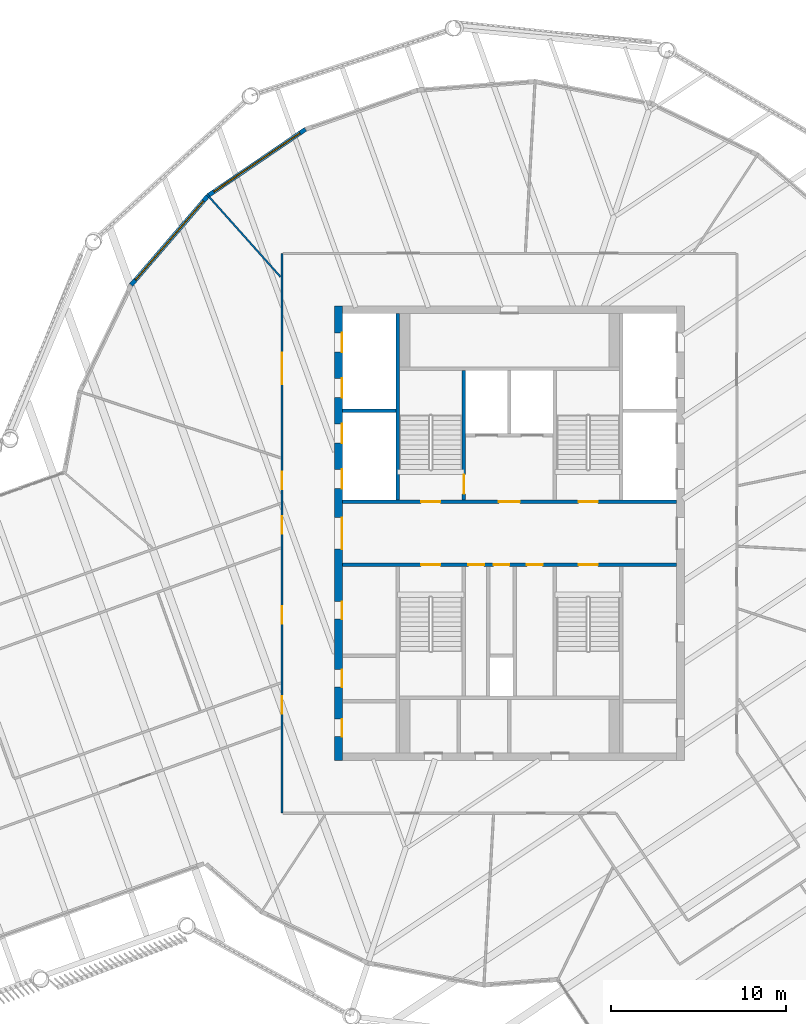
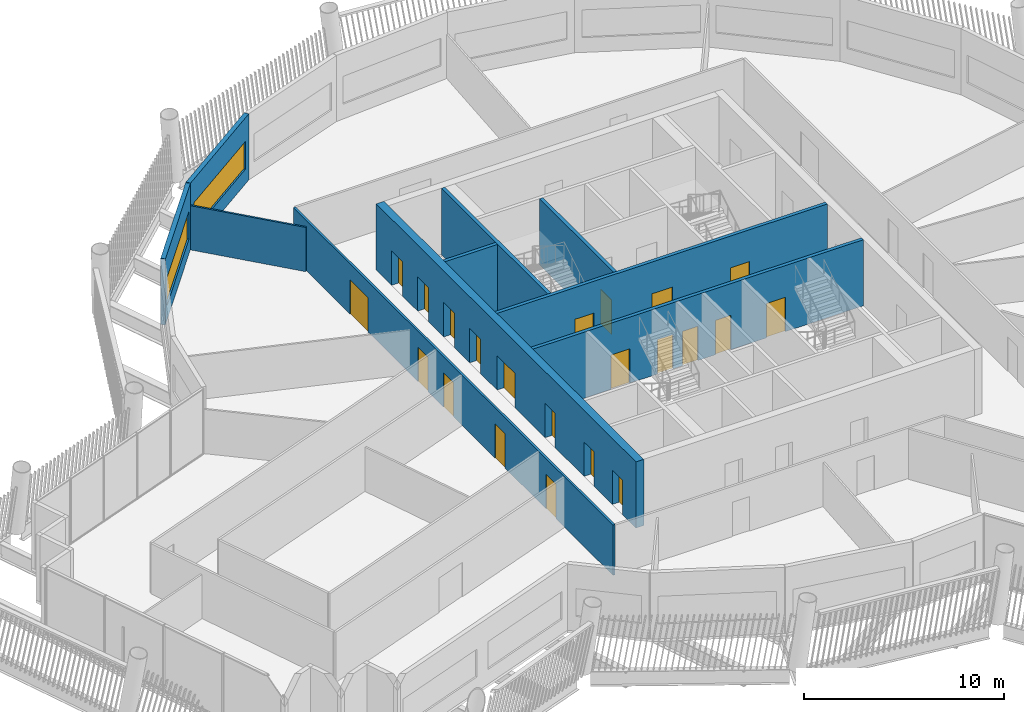
# One storey, part 18 of 28: 22 doors, 10 walls, 2 windows, 24 openings.
"""IFC4 building model written with IfcOpenShell, lengths in metres."""

from ifc_helpers import new_model, si_unit, direction, frame, frame_2d, origin, place, context, subcontext, project, spatial, rectangle, extrude, material, layer, layer_set, type_object, element, fill, save


model = new_model("IFC4")

# Units and contexts
model_context = context("Model", 3, precision=1e-05, world=origin(), true_north=direction((0.0, 1.0)))
body_context = subcontext(model_context, "Body", "Model", "MODEL_VIEW")
ifc_project = project(units=[si_unit("LENGTHUNIT", "METRE"), si_unit("AREAUNIT", "SQUARE_METRE"), si_unit("VOLUMEUNIT", "CUBIC_METRE"), si_unit("PLANEANGLEUNIT", "RADIAN"), si_unit("MASSUNIT", "GRAM", prefix="KILO")], contexts=[model_context])

# Site, building, storey
site_placement = place(None, origin())
site = spatial("IfcSite", under=ifc_project, at=site_placement, CompositionType="ELEMENT")
building_placement = place(site_placement, origin())
building = spatial("IfcBuilding", under=site, at=building_placement, Name="Tarsis Ring Headquarters", CompositionType="ELEMENT")
storey_placement = place(building_placement, frame((0.0, 0.0, 365.0)))
storey = spatial("IfcBuildingStorey", under=building, at=storey_placement, Name="L86", CompositionType="ELEMENT", Elevation=365.0)

# Wall, openings, doors
ifc_material_1 = material(Name="Concrete C50/60", Category="concrete")
ifc_layer_1 = layer(ifc_material_1, 0.449951171875)
ifc_layer_set_1 = layer_set([ifc_layer_1], Name="Core wall 450 C50/60")
wall_type_1 = type_object("IfcWallType", Name="Core wall 450 C50/60", PredefinedType="SHEAR", material=ifc_layer_set_1)
wall_1_placement = place(storey_placement, frame((-9.77490234375, -13.0, 0.0), z_axis=(0.0, 0.0, 1.0), x_axis=(0.0, 1.0, 0.0)))
wall_1 = element("IfcWall", 1, at=wall_1_placement, inside=storey, type_object=wall_type_1, Name="Core wall OW", PredefinedType="SHEAR", context=body_context, shape_type="SweptSolid", body=[
    extrude(rectangle(XDim=26.0, YDim=0.449951171875, at=frame_2d((13.0, 0.0))), origin(), (0.0, 0.0, 1.0), 4.0400390625),
])
opening_1_placement = place(wall_1_placement, frame((1.375, 0.0, 0.0)))
opening_1 = element("IfcOpeningElement", 2, at=opening_1_placement, cuts=wall_1, Name="Opening L86-C01", PredefinedType="OPENING", context=body_context, shape_type="SweptSolid", body=[
    extrude(rectangle(XDim=1.0, YDim=2.10009765625, at=frame_2d((0.5, 1.050048828125))), frame((0.0, 0.23486328125, 0.0), z_axis=(0.0, -1.0, 0.0), x_axis=(1.0, 0.0, 0.0)), (0.0, 0.0, 1.0), 0.469970703125),
])
opening_2_placement = place(wall_1_placement, frame((4.199951171875, 0.0, 0.0)))
opening_2 = element("IfcOpeningElement", 3, at=opening_2_placement, cuts=wall_1, Name="Opening L86-C02", PredefinedType="OPENING", context=body_context, shape_type="SweptSolid", body=[
    extrude(rectangle(XDim=1.0, YDim=2.10009765625, at=frame_2d((0.5, 1.050048828125))), frame((0.0, 0.23486328125, 0.0), z_axis=(0.0, -1.0, 0.0), x_axis=(1.0, 0.0, 0.0)), (0.0, 0.0, 1.0), 0.469970703125),
])
opening_3_placement = place(wall_1_placement, frame((8.10009765625, 0.0, 0.0)))
opening_3 = element("IfcOpeningElement", 4, at=opening_3_placement, cuts=wall_1, Name="Opening L86-C03", PredefinedType="OPENING", context=body_context, shape_type="SweptSolid", body=[
    extrude(rectangle(XDim=1.0, YDim=2.10009765625, at=frame_2d((0.5, 1.050048828125))), frame((0.0, 0.23486328125, 0.0), z_axis=(0.0, -1.0, 0.0), x_axis=(1.0, 0.0, 0.0)), (0.0, 0.0, 1.0), 0.469970703125),
])
opening_4_placement = place(wall_1_placement, frame((12.10009765625, 0.0, 0.0)))
opening_4 = element("IfcOpeningElement", 5, at=opening_4_placement, cuts=wall_1, Name="Opening L86-C04", PredefinedType="OPENING", context=body_context, shape_type="SweptSolid", body=[
    extrude(rectangle(XDim=1.800048828125, YDim=2.10009765625, at=frame_2d((0.89990234375, 1.050048828125))), frame((0.0, 0.23486328125, 0.0), z_axis=(0.0, -1.0, 0.0), x_axis=(1.0, 0.0, 0.0)), (0.0, 0.0, 1.0), 0.469970703125),
])
opening_5_placement = place(wall_1_placement, frame((15.550048828125, 0.0, 0.0)))
opening_5 = element("IfcOpeningElement", 6, at=opening_5_placement, cuts=wall_1, Name="Opening LD-HR1", PredefinedType="OPENING", context=body_context, shape_type="SweptSolid", body=[
    extrude(rectangle(XDim=1.10009765625, YDim=2.10009765625, at=frame_2d((0.550048828125, 1.050048828125))), frame((0.0, 0.23486328125, 0.0), z_axis=(0.0, -1.0, 0.0), x_axis=(1.0, 0.0, 0.0)), (0.0, 0.0, 1.0), 0.469970703125),
])
opening_6_placement = place(wall_1_placement, frame((18.14990234375, 0.0, 0.0)))
opening_6 = element("IfcOpeningElement", 7, at=opening_6_placement, cuts=wall_1, Name="Opening LD-HR2", PredefinedType="OPENING", context=body_context, shape_type="SweptSolid", body=[
    extrude(rectangle(XDim=1.10009765625, YDim=2.10009765625, at=frame_2d((0.550048828125, 1.050048828125))), frame((0.0, 0.23486328125, 0.0), z_axis=(0.0, -1.0, 0.0), x_axis=(1.0, 0.0, 0.0)), (0.0, 0.0, 1.0), 0.469970703125),
])
opening_7_placement = place(wall_1_placement, frame((20.75, 0.0, 0.0)))
opening_7 = element("IfcOpeningElement", 8, at=opening_7_placement, cuts=wall_1, Name="Opening LD-HR3", PredefinedType="OPENING", context=body_context, shape_type="SweptSolid", body=[
    extrude(rectangle(XDim=1.10009765625, YDim=2.10009765625, at=frame_2d((0.550048828125, 1.050048828125))), frame((0.0, 0.23486328125, 0.0), z_axis=(0.0, -1.0, 0.0), x_axis=(1.0, 0.0, 0.0)), (0.0, 0.0, 1.0), 0.469970703125),
])
opening_8_placement = place(wall_1_placement, frame((23.35009765625, 0.0, 0.0)))
opening_8 = element("IfcOpeningElement", 9, at=opening_8_placement, cuts=wall_1, Name="Opening LD-HR4", PredefinedType="OPENING", context=body_context, shape_type="SweptSolid", body=[
    extrude(rectangle(XDim=1.10009765625, YDim=2.10009765625, at=frame_2d((0.550048828125, 1.050048828125))), frame((0.0, 0.23486328125, 0.0), z_axis=(0.0, -1.0, 0.0), x_axis=(1.0, 0.0, 0.0)), (0.0, 0.0, 1.0), 0.469970703125),
])
ifc_material_2 = material(Name="Steel S355", Category="steel")
door_type_1 = type_object("IfcDoorType", Name="Core entry door 1800x2100", OperationType="DOUBLE_DOOR_SINGLE_SWING", PredefinedType="DOOR", material=ifc_material_2)
door_1_placement = place(opening_4_placement, origin())
door_1 = element("IfcDoor", 10, at=door_1_placement, inside=storey, type_object=door_type_1, Name="Core entry door L86", OperationType="DOUBLE_DOOR_SINGLE_SWING", OverallHeight=2.10009765625, OverallWidth=1.800048828125, PredefinedType="DOOR", context=body_context, shape_type="SweptSolid", body=[
    extrude(rectangle(XDim=1.800048828125, YDim=2.10009765625, at=frame_2d((0.89990234375, 1.050048828125))), frame((0.0, -0.1748046875, 0.0), z_axis=(0.0, -1.0, 0.0), x_axis=(1.0, 0.0, 0.0)), (0.0, 0.0, 1.0), 0.050048828125),
])
fill(opening_4, door_1)
door_type_2 = type_object("IfcDoorType", Name="Core room door 1000x2100", OperationType="SINGLE_SWING_LEFT", PredefinedType="DOOR", material=ifc_material_2)
door_2_placement = place(opening_1_placement, origin())
door_2 = element("IfcDoor", 11, at=door_2_placement, inside=storey, type_object=door_type_2, Name="Core room door L86", OperationType="SINGLE_SWING_LEFT", OverallHeight=2.10009765625, OverallWidth=1.0, PredefinedType="DOOR", context=body_context, shape_type="SweptSolid", body=[
    extrude(rectangle(XDim=1.0, YDim=2.10009765625, at=frame_2d((0.5, 1.050048828125))), frame((0.0, -0.1748046875, 0.0), z_axis=(0.0, -1.0, 0.0), x_axis=(1.0, 0.0, 0.0)), (0.0, 0.0, 1.0), 0.050048828125),
])
fill(opening_1, door_2)
door_3_placement = place(opening_2_placement, origin())
door_3 = element("IfcDoor", 12, at=door_3_placement, inside=storey, type_object=door_type_2, Name="Core room door L86", OperationType="SINGLE_SWING_LEFT", OverallHeight=2.10009765625, OverallWidth=1.0, PredefinedType="DOOR", context=body_context, shape_type="SweptSolid", body=[
    extrude(rectangle(XDim=1.0, YDim=2.10009765625, at=frame_2d((0.5, 1.050048828125))), frame((0.0, -0.1748046875, 0.0), z_axis=(0.0, -1.0, 0.0), x_axis=(1.0, 0.0, 0.0)), (0.0, 0.0, 1.0), 0.050048828125),
])
fill(opening_2, door_3)
door_4_placement = place(opening_3_placement, origin())
door_4 = element("IfcDoor", 13, at=door_4_placement, inside=storey, type_object=door_type_2, Name="Core room door L86", OperationType="SINGLE_SWING_LEFT", OverallHeight=2.10009765625, OverallWidth=1.0, PredefinedType="DOOR", context=body_context, shape_type="SweptSolid", body=[
    extrude(rectangle(XDim=1.0, YDim=2.10009765625, at=frame_2d((0.5, 1.050048828125))), frame((0.0, -0.1748046875, 0.0), z_axis=(0.0, -1.0, 0.0), x_axis=(1.0, 0.0, 0.0)), (0.0, 0.0, 1.0), 0.050048828125),
])
fill(opening_3, door_4)
door_type_3 = type_object("IfcDoorType", Name="Landing door 1100x2100", OperationType="SLIDING_TO_LEFT", PredefinedType="DOOR", material=ifc_material_2)
door_5_placement = place(opening_5_placement, origin())
door_5 = element("IfcDoor", 14, at=door_5_placement, inside=storey, type_object=door_type_3, Name="Landing door HR1 L86", OperationType="SLIDING_TO_LEFT", OverallHeight=2.10009765625, OverallWidth=1.10009765625, PredefinedType="DOOR", context=body_context, shape_type="SweptSolid", body=[
    extrude(rectangle(XDim=1.10009765625, YDim=2.10009765625, at=frame_2d((0.550048828125, 1.050048828125))), frame((0.0, -0.1748046875, 0.0), z_axis=(0.0, -1.0, 0.0), x_axis=(1.0, 0.0, 0.0)), (0.0, 0.0, 1.0), 0.050048828125),
])
fill(opening_5, door_5)
door_6_placement = place(opening_6_placement, origin())
door_6 = element("IfcDoor", 15, at=door_6_placement, inside=storey, type_object=door_type_3, Name="Landing door HR2 L86", OperationType="SLIDING_TO_LEFT", OverallHeight=2.10009765625, OverallWidth=1.10009765625, PredefinedType="DOOR", context=body_context, shape_type="SweptSolid", body=[
    extrude(rectangle(XDim=1.10009765625, YDim=2.10009765625, at=frame_2d((0.550048828125, 1.050048828125))), frame((0.0, -0.1748046875, 0.0), z_axis=(0.0, -1.0, 0.0), x_axis=(1.0, 0.0, 0.0)), (0.0, 0.0, 1.0), 0.050048828125),
])
fill(opening_6, door_6)
door_7_placement = place(opening_7_placement, origin())
door_7 = element("IfcDoor", 16, at=door_7_placement, inside=storey, type_object=door_type_3, Name="Landing door HR3 L86", OperationType="SLIDING_TO_LEFT", OverallHeight=2.10009765625, OverallWidth=1.10009765625, PredefinedType="DOOR", context=body_context, shape_type="SweptSolid", body=[
    extrude(rectangle(XDim=1.10009765625, YDim=2.10009765625, at=frame_2d((0.550048828125, 1.050048828125))), frame((0.0, -0.1748046875, 0.0), z_axis=(0.0, -1.0, 0.0), x_axis=(1.0, 0.0, 0.0)), (0.0, 0.0, 1.0), 0.050048828125),
])
fill(opening_7, door_7)
door_8_placement = place(opening_8_placement, origin())
door_8 = element("IfcDoor", 17, at=door_8_placement, inside=storey, type_object=door_type_3, Name="Landing door HR4 L86", OperationType="SLIDING_TO_LEFT", OverallHeight=2.10009765625, OverallWidth=1.10009765625, PredefinedType="DOOR", context=body_context, shape_type="SweptSolid", body=[
    extrude(rectangle(XDim=1.10009765625, YDim=2.10009765625, at=frame_2d((0.550048828125, 1.050048828125))), frame((0.0, -0.1748046875, 0.0), z_axis=(0.0, -1.0, 0.0), x_axis=(1.0, 0.0, 0.0)), (0.0, 0.0, 1.0), 0.050048828125),
])
fill(opening_8, door_8)

# Wall
ifc_material_3 = material(Name="Gypsum board on steel studs", Category="steel")
ifc_layer_2 = layer(ifc_material_3, 0.10009765625)
ifc_layer_set_2 = layer_set([ifc_layer_2], Name="FL partition 100 unrated")
wall_type_2 = type_object("IfcWallType", Name="FL partition 100 unrated", PredefinedType="PARTITIONING", material=ifc_layer_set_2)
wall_2_placement = place(storey_placement, frame((-17.281494140625, 19.355712890625, 0.0), z_axis=(0.0, 0.0, 1.0), x_axis=(0.665974174869, -0.745974797435, 0.0)))
element("IfcWall", 18, at=wall_2_placement, inside=storey, type_object=wall_type_2, Name="Partition PW3", PredefinedType="PARTITIONING", context=body_context, shape_type="SweptSolid", body=[
    extrude(rectangle(XDim=6.298828125, YDim=0.10009765625, at=frame_2d((3.1494140625, 0.0))), origin(), (0.0, 0.0, 1.0), 2.699951171875),
])

# Wall, openings, doors
ifc_layer_3 = layer(ifc_material_3, 0.125)
ifc_layer_set_3 = layer_set([ifc_layer_3], Name="FL partition 125 EI 60 H3070")
wall_type_3 = type_object("IfcWallType", Name="FL partition 125 EI 60 H3070", PredefinedType="PARTITIONING", material=ifc_layer_set_3)
wall_3_placement = place(storey_placement, frame((-13.0, -16.0, 0.0), z_axis=(0.0, 0.0, 1.0), x_axis=(0.0, 1.0, 0.0)))
wall_3 = element("IfcWall", 19, at=wall_3_placement, inside=storey, type_object=wall_type_3, Name="Partition PW1H307", PredefinedType="PARTITIONING", context=body_context, shape_type="SweptSolid", body=[
    extrude(rectangle(XDim=32.0, YDim=0.125, at=frame_2d((16.0, 0.0))), origin(), (0.0, 0.0, 1.0), 3.070068359375),
])
opening_9_placement = place(wall_3_placement, frame((18.5107421875, 0.0, 0.0)))
opening_9 = element("IfcOpeningElement", 20, at=opening_9_placement, cuts=wall_3, Name="Opening D86.03", PredefinedType="OPENING", context=body_context, shape_type="SweptSolid", body=[
    extrude(rectangle(XDim=1.0, YDim=2.10009765625, at=frame_2d((0.5, 1.050048828125))), frame((0.0, 0.072509765625, 0.0), z_axis=(0.0, -1.0, 0.0), x_axis=(1.0, 0.0, 0.0)), (0.0, 0.0, 1.0), 0.14501953125),
])
opening_10_placement = place(wall_3_placement, frame((24.522216796875, 0.0, 0.0)))
opening_10 = element("IfcOpeningElement", 21, at=opening_10_placement, cuts=wall_3, Name="Opening D86.04", PredefinedType="OPENING", context=body_context, shape_type="SweptSolid", body=[
    extrude(rectangle(XDim=1.800048828125, YDim=2.10009765625, at=frame_2d((0.89990234375, 1.050048828125))), frame((0.0, 0.072509765625, 0.0), z_axis=(0.0, -1.0, 0.0), x_axis=(1.0, 0.0, 0.0)), (0.0, 0.0, 1.0), 0.14501953125),
])
opening_11_placement = place(wall_3_placement, frame((10.830078125, 0.0, 0.0)))
opening_11 = element("IfcOpeningElement", 22, at=opening_11_placement, cuts=wall_3, Name="Opening D86.14", PredefinedType="OPENING", context=body_context, shape_type="SweptSolid", body=[
    extrude(rectangle(XDim=1.0, YDim=2.10009765625, at=frame_2d((0.5, 1.050048828125))), frame((0.0, 0.072509765625, 0.0), z_axis=(0.0, -1.0, 0.0), x_axis=(1.0, 0.0, 0.0)), (0.0, 0.0, 1.0), 0.14501953125),
])
opening_12_placement = place(wall_3_placement, frame((5.69775390625, 0.0, 0.0)))
opening_12 = element("IfcOpeningElement", 23, at=opening_12_placement, cuts=wall_3, Name="Opening D86.17", PredefinedType="OPENING", context=body_context, shape_type="SweptSolid", body=[
    extrude(rectangle(XDim=1.0, YDim=2.10009765625, at=frame_2d((0.5, 1.050048828125))), frame((0.0, 0.072509765625, 0.0), z_axis=(0.0, -1.0, 0.0), x_axis=(1.0, 0.0, 0.0)), (0.0, 0.0, 1.0), 0.14501953125),
])
opening_13_placement = place(wall_3_placement, frame((15.962158203125, 0.0, 0.0)))
opening_13 = element("IfcOpeningElement", 24, at=opening_13_placement, cuts=wall_3, Name="Opening D86.18", PredefinedType="OPENING", context=body_context, shape_type="SweptSolid", body=[
    extrude(rectangle(XDim=1.0, YDim=2.10009765625, at=frame_2d((0.5, 1.050048828125))), frame((0.0, 0.072509765625, 0.0), z_axis=(0.0, -1.0, 0.0), x_axis=(1.0, 0.0, 0.0)), (0.0, 0.0, 1.0), 0.14501953125),
])
ifc_material_4 = material(Name="Fire-rated timber door leaf in steel frame", Category="steel")
door_type_4 = type_object("IfcDoorType", Name="FL door FD60-1000", OperationType="NOTDEFINED", PredefinedType="DOOR", material=ifc_material_4)
door_9_placement = place(opening_9_placement, origin())
door_9 = element("IfcDoor", 25, at=door_9_placement, inside=storey, type_object=door_type_4, Name="Door D86.03", OperationType="SINGLE_SWING_LEFT", OverallHeight=2.10009765625, OverallWidth=1.0, PredefinedType="DOOR", context=body_context, shape_type="SweptSolid", body=[
    extrude(rectangle(XDim=1.0, YDim=2.10009765625, at=frame_2d((0.5, 1.050048828125))), frame((0.0, 0.02490234375, 0.0), z_axis=(0.0, -1.0, 0.0), x_axis=(1.0, 0.0, 0.0)), (0.0, 0.0, 1.0), 0.050048828125),
])
fill(opening_9, door_9)
door_10_placement = place(opening_11_placement, origin())
door_10 = element("IfcDoor", 26, at=door_10_placement, inside=storey, type_object=door_type_4, Name="Door D86.14", OperationType="SINGLE_SWING_RIGHT", OverallHeight=2.10009765625, OverallWidth=1.0, PredefinedType="DOOR", context=body_context, shape_type="SweptSolid", body=[
    extrude(rectangle(XDim=1.0, YDim=2.10009765625, at=frame_2d((0.5, 1.050048828125))), frame((0.0, 0.02490234375, 0.0), z_axis=(0.0, -1.0, 0.0), x_axis=(1.0, 0.0, 0.0)), (0.0, 0.0, 1.0), 0.050048828125),
])
fill(opening_11, door_10)
door_11_placement = place(opening_12_placement, origin())
door_11 = element("IfcDoor", 27, at=door_11_placement, inside=storey, type_object=door_type_4, Name="Door D86.17", OperationType="SINGLE_SWING_LEFT", OverallHeight=2.10009765625, OverallWidth=1.0, PredefinedType="DOOR", context=body_context, shape_type="SweptSolid", body=[
    extrude(rectangle(XDim=1.0, YDim=2.10009765625, at=frame_2d((0.5, 1.050048828125))), frame((0.0, 0.02490234375, 0.0), z_axis=(0.0, -1.0, 0.0), x_axis=(1.0, 0.0, 0.0)), (0.0, 0.0, 1.0), 0.050048828125),
])
fill(opening_12, door_11)
door_12_placement = place(opening_13_placement, origin())
door_12 = element("IfcDoor", 28, at=door_12_placement, inside=storey, type_object=door_type_4, Name="Door D86.18", OperationType="SINGLE_SWING_RIGHT", OverallHeight=2.10009765625, OverallWidth=1.0, PredefinedType="DOOR", context=body_context, shape_type="SweptSolid", body=[
    extrude(rectangle(XDim=1.0, YDim=2.10009765625, at=frame_2d((0.5, 1.050048828125))), frame((0.0, 0.02490234375, 0.0), z_axis=(0.0, -1.0, 0.0), x_axis=(1.0, 0.0, 0.0)), (0.0, 0.0, 1.0), 0.050048828125),
])
fill(opening_13, door_12)
door_type_5 = type_object("IfcDoorType", Name="FL door FD60-1800", OperationType="DOUBLE_DOOR_SINGLE_SWING", PredefinedType="DOOR", material=ifc_material_4)
door_13_placement = place(opening_10_placement, origin())
door_13 = element("IfcDoor", 29, at=door_13_placement, inside=storey, type_object=door_type_5, Name="Door D86.04", OperationType="DOUBLE_DOOR_SINGLE_SWING", OverallHeight=2.10009765625, OverallWidth=1.800048828125, PredefinedType="DOOR", context=body_context, shape_type="SweptSolid", body=[
    extrude(rectangle(XDim=1.800048828125, YDim=2.10009765625, at=frame_2d((0.89990234375, 1.050048828125))), frame((0.0, 0.02490234375, 0.0), z_axis=(0.0, -1.0, 0.0), x_axis=(1.0, 0.0, 0.0)), (0.0, 0.0, 1.0), 0.050048828125),
])
fill(opening_10, door_13)

# Wall, opening, window
ifc_material_5 = material(Name="Terracotta clad insulated panel wall", Category="masonry")
ifc_layer_4 = layer(ifc_material_5, 0.25)
ifc_layer_set_4 = layer_set([ifc_layer_4], Name="Facade wall terracotta panel 250")
wall_type_4 = type_object("IfcWallType", Name="Facade wall terracotta panel 250", PredefinedType="STANDARD", material=ifc_layer_set_4)
wall_4_placement = place(storey_placement, frame((-11.663330078125, 23.093505859375, 0.0), z_axis=(0.0, 0.0, 1.0), x_axis=(-0.826493897624, -0.56294567872, 0.0)))
wall_4 = element("IfcWall", 30, at=wall_4_placement, inside=storey, type_object=wall_type_4, Name="External wall L86-27", PredefinedType="STANDARD", context=body_context, shape_type="SweptSolid", body=[
    extrude(rectangle(XDim=6.7216796875, YDim=0.25, at=frame_2d((3.36083984375, 0.0))), origin(), (0.0, 0.0, 1.0), 4.0400390625),
])
opening_14_placement = place(wall_4_placement, frame((0.3857421875, 0.0, 0.89990234375)))
opening_14 = element("IfcOpeningElement", 31, at=opening_14_placement, cuts=wall_4, Name="Opening WN07", PredefinedType="OPENING", context=body_context, shape_type="SweptSolid", body=[
    extrude(rectangle(XDim=5.949951171875, YDim=1.699951171875, at=frame_2d((2.97509765625, 0.85009765625))), frame((0.0, 0.135009765625, 0.0), z_axis=(0.0, -1.0, 0.0), x_axis=(1.0, 0.0, 0.0)), (0.0, 0.0, 1.0), 0.27001953125),
])
ifc_material_6 = material(Name="Aluminium framed double glazing", Category="aluminium")
window_type = type_object("IfcWindowType", Name="Facade window 5950 x 1700", PartitioningType="SINGLE_PANEL", PredefinedType="WINDOW", material=ifc_material_6)
window_1_placement = place(opening_14_placement, origin())
window_1 = element("IfcWindow", 32, at=window_1_placement, inside=storey, type_object=window_type, Name="Window L86-27.1", OverallHeight=1.699951171875, OverallWidth=5.949951171875, PartitioningType="SINGLE_PANEL", PredefinedType="WINDOW", context=body_context, shape_type="SweptSolid", body=[
    extrude(rectangle(XDim=5.949951171875, YDim=1.699951171875, at=frame_2d((2.97509765625, 0.85009765625))), frame((0.0, 0.030029296875, 0.0), z_axis=(0.0, -1.0, 0.0), x_axis=(1.0, 0.0, 0.0)), (0.0, 0.0, 1.0), 0.06005859375),
])
fill(opening_14, window_1)

wall_5_placement = place(storey_placement, frame((-17.2431640625, 19.287841796875, 0.0), z_axis=(0.0, 0.0, 1.0), x_axis=(-0.652611193954, -0.757692965208, 0.0)))
wall_5 = element("IfcWall", 33, at=wall_5_placement, inside=storey, type_object=wall_type_4, Name="External wall L86-28", PredefinedType="STANDARD", context=body_context, shape_type="SweptSolid", body=[
    extrude(rectangle(XDim=6.721435546875, YDim=0.25, at=frame_2d((3.36083984375, 0.0))), origin(), (0.0, 0.0, 1.0), 4.0400390625),
])
opening_15_placement = place(wall_5_placement, frame((0.3857421875, 0.0, 0.89990234375)))
opening_15 = element("IfcOpeningElement", 34, at=opening_15_placement, cuts=wall_5, Name="Opening WN07", PredefinedType="OPENING", context=body_context, shape_type="SweptSolid", body=[
    extrude(rectangle(XDim=5.949951171875, YDim=1.699951171875, at=frame_2d((2.97509765625, 0.85009765625))), frame((0.0, 0.135009765625, 0.0), z_axis=(0.0, -1.0, 0.0), x_axis=(1.0, 0.0, 0.0)), (0.0, 0.0, 1.0), 0.27001953125),
])
window_2_placement = place(opening_15_placement, origin())
window_2 = element("IfcWindow", 35, at=window_2_placement, inside=storey, type_object=window_type, Name="Window L86-28.1", OverallHeight=1.699951171875, OverallWidth=5.949951171875, PartitioningType="SINGLE_PANEL", PredefinedType="WINDOW", context=body_context, shape_type="SweptSolid", body=[
    extrude(rectangle(XDim=5.949951171875, YDim=1.699951171875, at=frame_2d((2.97509765625, 0.85009765625))), frame((0.0, 0.030029296875, 0.0), z_axis=(0.0, -1.0, 0.0), x_axis=(1.0, 0.0, 0.0)), (0.0, 0.0, 1.0), 0.06005859375),
])
fill(opening_15, window_2)

# Wall, openings, doors
ifc_material_7 = material(Name="Concrete C32/40", Category="concrete")
ifc_layer_5 = layer(ifc_material_7, 0.199951171875)
ifc_layer_set_5 = layer_set([ifc_layer_5], Name="Shaft wall 200 C32/40")
wall_type_5 = type_object("IfcWallType", Name="Shaft wall 200 C32/40", PredefinedType="SOLIDWALL", material=ifc_layer_set_5)
wall_6_placement = place(storey_placement, frame((-9.550048828125, 1.800048828125, 0.0), z_axis=(0.0, 0.0, 1.0), x_axis=(1.0, 0.0, 0.0)))
wall_6 = element("IfcWall", 36, at=wall_6_placement, inside=storey, type_object=wall_type_5, Name="Core shaft wall CN", PredefinedType="SOLIDWALL", context=body_context, shape_type="SweptSolid", body=[
    extrude(rectangle(XDim=19.10009765625, YDim=0.199951171875, at=frame_2d((9.550048828125, 0.0))), origin(), (0.0, 0.0, 1.0), 4.0400390625),
])
opening_16_placement = place(wall_6_placement, frame((4.5, 0.0, 0.0)))
opening_16 = element("IfcOpeningElement", 37, at=opening_16_placement, cuts=wall_6, Name="Opening L86-C20", PredefinedType="OPENING", context=body_context, shape_type="SweptSolid", body=[
    extrude(rectangle(XDim=1.10009765625, YDim=2.10009765625, at=frame_2d((0.550048828125, 1.050048828125))), frame((0.0, 0.10986328125, 0.0), z_axis=(0.0, -1.0, 0.0), x_axis=(1.0, 0.0, 0.0)), (0.0, 0.0, 1.0), 0.219970703125),
])
opening_17_placement = place(wall_6_placement, frame((8.949951171875, 0.0, 0.0)))
opening_17 = element("IfcOpeningElement", 38, at=opening_17_placement, cuts=wall_6, Name="Opening L86-C21", PredefinedType="OPENING", context=body_context, shape_type="SweptSolid", body=[
    extrude(rectangle(XDim=1.199951171875, YDim=2.10009765625, at=frame_2d((0.60009765625, 1.050048828125))), frame((0.0, 0.10986328125, 0.0), z_axis=(0.0, -1.0, 0.0), x_axis=(1.0, 0.0, 0.0)), (0.0, 0.0, 1.0), 0.219970703125),
])
opening_18_placement = place(wall_6_placement, frame((13.5, 0.0, 0.0)))
opening_18 = element("IfcOpeningElement", 39, at=opening_18_placement, cuts=wall_6, Name="Opening L86-C22", PredefinedType="OPENING", context=body_context, shape_type="SweptSolid", body=[
    extrude(rectangle(XDim=1.10009765625, YDim=2.10009765625, at=frame_2d((0.550048828125, 1.050048828125))), frame((0.0, 0.10986328125, 0.0), z_axis=(0.0, -1.0, 0.0), x_axis=(1.0, 0.0, 0.0)), (0.0, 0.0, 1.0), 0.219970703125),
])
door_type_6 = type_object("IfcDoorType", Name="Firefighting lobby door 1200x2100", OperationType="DOUBLE_DOOR_SINGLE_SWING", PredefinedType="DOOR", material=ifc_material_2)
door_14_placement = place(opening_17_placement, origin())
door_14 = element("IfcDoor", 40, at=door_14_placement, inside=storey, type_object=door_type_6, Name="Firefighting lobby door L86", OperationType="DOUBLE_DOOR_SINGLE_SWING", OverallHeight=2.10009765625, OverallWidth=1.199951171875, PredefinedType="DOOR", context=body_context, shape_type="SweptSolid", body=[
    extrude(rectangle(XDim=1.199951171875, YDim=2.10009765625, at=frame_2d((0.60009765625, 1.050048828125))), frame((0.0, 0.02490234375, 0.0), z_axis=(0.0, -1.0, 0.0), x_axis=(1.0, 0.0, 0.0)), (0.0, 0.0, 1.0), 0.050048828125),
])
fill(opening_17, door_14)
door_type_7 = type_object("IfcDoorType", Name="Stair door 1100x2100", OperationType="SINGLE_SWING_LEFT", PredefinedType="DOOR", material=ifc_material_2)
door_15_placement = place(opening_16_placement, origin())
door_15 = element("IfcDoor", 41, at=door_15_placement, inside=storey, type_object=door_type_7, Name="Stair door L86", OperationType="SINGLE_SWING_LEFT", OverallHeight=2.10009765625, OverallWidth=1.10009765625, PredefinedType="DOOR", context=body_context, shape_type="SweptSolid", body=[
    extrude(rectangle(XDim=1.10009765625, YDim=2.10009765625, at=frame_2d((0.550048828125, 1.050048828125))), frame((0.0, 0.02490234375, 0.0), z_axis=(0.0, -1.0, 0.0), x_axis=(1.0, 0.0, 0.0)), (0.0, 0.0, 1.0), 0.050048828125),
])
fill(opening_16, door_15)
door_16_placement = place(opening_18_placement, origin())
door_16 = element("IfcDoor", 42, at=door_16_placement, inside=storey, type_object=door_type_7, Name="Stair door L86", OperationType="SINGLE_SWING_LEFT", OverallHeight=2.10009765625, OverallWidth=1.10009765625, PredefinedType="DOOR", context=body_context, shape_type="SweptSolid", body=[
    extrude(rectangle(XDim=1.10009765625, YDim=2.10009765625, at=frame_2d((0.550048828125, 1.050048828125))), frame((0.0, 0.02490234375, 0.0), z_axis=(0.0, -1.0, 0.0), x_axis=(1.0, 0.0, 0.0)), (0.0, 0.0, 1.0), 0.050048828125),
])
fill(opening_18, door_16)

wall_7_placement = place(storey_placement, frame((-9.550048828125, -1.800048828125, 0.0), z_axis=(0.0, 0.0, 1.0), x_axis=(1.0, 0.0, 0.0)))
wall_7 = element("IfcWall", 43, at=wall_7_placement, inside=storey, type_object=wall_type_5, Name="Core shaft wall CS", PredefinedType="SOLIDWALL", context=body_context, shape_type="SweptSolid", body=[
    extrude(rectangle(XDim=19.10009765625, YDim=0.199951171875, at=frame_2d((9.550048828125, 0.0))), origin(), (0.0, 0.0, 1.0), 4.0400390625),
])
opening_19_placement = place(wall_7_placement, frame((4.5, 0.0, 0.0)))
opening_19 = element("IfcOpeningElement", 44, at=opening_19_placement, cuts=wall_7, Name="Opening L86-C23", PredefinedType="OPENING", context=body_context, shape_type="SweptSolid", body=[
    extrude(rectangle(XDim=1.10009765625, YDim=2.10009765625, at=frame_2d((0.550048828125, 1.050048828125))), frame((0.0, 0.10986328125, 0.0), z_axis=(0.0, -1.0, 0.0), x_axis=(1.0, 0.0, 0.0)), (0.0, 0.0, 1.0), 0.219970703125),
])
opening_20_placement = place(wall_7_placement, frame((7.199951171875, 0.0, 0.0)))
opening_20 = element("IfcOpeningElement", 45, at=opening_20_placement, cuts=wall_7, Name="Opening L86-C24", PredefinedType="OPENING", context=body_context, shape_type="SweptSolid", body=[
    extrude(rectangle(XDim=0.89990234375, YDim=2.10009765625, at=frame_2d((0.449951171875, 1.050048828125))), frame((0.0, 0.10986328125, 0.0), z_axis=(0.0, -1.0, 0.0), x_axis=(1.0, 0.0, 0.0)), (0.0, 0.0, 1.0), 0.219970703125),
])
opening_21_placement = place(wall_7_placement, frame((8.64990234375, 0.0, 0.0)))
opening_21 = element("IfcOpeningElement", 46, at=opening_21_placement, cuts=wall_7, Name="Opening L86-C25", PredefinedType="OPENING", context=body_context, shape_type="SweptSolid", body=[
    extrude(rectangle(XDim=0.89990234375, YDim=2.10009765625, at=frame_2d((0.449951171875, 1.050048828125))), frame((0.0, 0.10986328125, 0.0), z_axis=(0.0, -1.0, 0.0), x_axis=(1.0, 0.0, 0.0)), (0.0, 0.0, 1.0), 0.219970703125),
])
opening_22_placement = place(wall_7_placement, frame((10.550048828125, 0.0, 0.0)))
opening_22 = element("IfcOpeningElement", 47, at=opening_22_placement, cuts=wall_7, Name="Opening L86-C26", PredefinedType="OPENING", context=body_context, shape_type="SweptSolid", body=[
    extrude(rectangle(XDim=0.89990234375, YDim=2.10009765625, at=frame_2d((0.449951171875, 1.050048828125))), frame((0.0, 0.10986328125, 0.0), z_axis=(0.0, -1.0, 0.0), x_axis=(1.0, 0.0, 0.0)), (0.0, 0.0, 1.0), 0.219970703125),
])
opening_23_placement = place(wall_7_placement, frame((13.5, 0.0, 0.0)))
opening_23 = element("IfcOpeningElement", 48, at=opening_23_placement, cuts=wall_7, Name="Opening L86-C27", PredefinedType="OPENING", context=body_context, shape_type="SweptSolid", body=[
    extrude(rectangle(XDim=1.10009765625, YDim=2.10009765625, at=frame_2d((0.550048828125, 1.050048828125))), frame((0.0, 0.10986328125, 0.0), z_axis=(0.0, -1.0, 0.0), x_axis=(1.0, 0.0, 0.0)), (0.0, 0.0, 1.0), 0.219970703125),
])
door_17_placement = place(opening_19_placement, origin())
door_17 = element("IfcDoor", 49, at=door_17_placement, inside=storey, type_object=door_type_7, Name="Stair door L86", OperationType="SINGLE_SWING_LEFT", OverallHeight=2.10009765625, OverallWidth=1.10009765625, PredefinedType="DOOR", context=body_context, shape_type="SweptSolid", body=[
    extrude(rectangle(XDim=1.10009765625, YDim=2.10009765625, at=frame_2d((0.550048828125, 1.050048828125))), frame((0.0, 0.02490234375, 0.0), z_axis=(0.0, -1.0, 0.0), x_axis=(1.0, 0.0, 0.0)), (0.0, 0.0, 1.0), 0.050048828125),
])
fill(opening_19, door_17)
door_18_placement = place(opening_23_placement, origin())
door_18 = element("IfcDoor", 50, at=door_18_placement, inside=storey, type_object=door_type_7, Name="Stair door L86", OperationType="SINGLE_SWING_LEFT", OverallHeight=2.10009765625, OverallWidth=1.10009765625, PredefinedType="DOOR", context=body_context, shape_type="SweptSolid", body=[
    extrude(rectangle(XDim=1.10009765625, YDim=2.10009765625, at=frame_2d((0.550048828125, 1.050048828125))), frame((0.0, 0.02490234375, 0.0), z_axis=(0.0, -1.0, 0.0), x_axis=(1.0, 0.0, 0.0)), (0.0, 0.0, 1.0), 0.050048828125),
])
fill(opening_23, door_18)
door_type_8 = type_object("IfcDoorType", Name="WC door 900x2100", OperationType="SINGLE_SWING_LEFT", PredefinedType="DOOR", material=ifc_material_2)
door_19_placement = place(opening_20_placement, origin())
door_19 = element("IfcDoor", 51, at=door_19_placement, inside=storey, type_object=door_type_8, Name="WC door L86", OperationType="SINGLE_SWING_LEFT", OverallHeight=2.10009765625, OverallWidth=0.89990234375, PredefinedType="DOOR", context=body_context, shape_type="SweptSolid", body=[
    extrude(rectangle(XDim=0.89990234375, YDim=2.10009765625, at=frame_2d((0.449951171875, 1.050048828125))), frame((0.0, 0.02490234375, 0.0), z_axis=(0.0, -1.0, 0.0), x_axis=(1.0, 0.0, 0.0)), (0.0, 0.0, 1.0), 0.050048828125),
])
fill(opening_20, door_19)
door_20_placement = place(opening_21_placement, origin())
door_20 = element("IfcDoor", 52, at=door_20_placement, inside=storey, type_object=door_type_8, Name="WC door L86", OperationType="SINGLE_SWING_LEFT", OverallHeight=2.10009765625, OverallWidth=0.89990234375, PredefinedType="DOOR", context=body_context, shape_type="SweptSolid", body=[
    extrude(rectangle(XDim=0.89990234375, YDim=2.10009765625, at=frame_2d((0.449951171875, 1.050048828125))), frame((0.0, 0.02490234375, 0.0), z_axis=(0.0, -1.0, 0.0), x_axis=(1.0, 0.0, 0.0)), (0.0, 0.0, 1.0), 0.050048828125),
])
fill(opening_21, door_20)
door_21_placement = place(opening_22_placement, origin())
door_21 = element("IfcDoor", 53, at=door_21_placement, inside=storey, type_object=door_type_8, Name="WC door L86", OperationType="SINGLE_SWING_LEFT", OverallHeight=2.10009765625, OverallWidth=0.89990234375, PredefinedType="DOOR", context=body_context, shape_type="SweptSolid", body=[
    extrude(rectangle(XDim=0.89990234375, YDim=2.10009765625, at=frame_2d((0.449951171875, 1.050048828125))), frame((0.0, 0.02490234375, 0.0), z_axis=(0.0, -1.0, 0.0), x_axis=(1.0, 0.0, 0.0)), (0.0, 0.0, 1.0), 0.050048828125),
])
fill(opening_22, door_21)

# Wall
wall_8_placement = place(storey_placement, frame((-6.39990234375, 1.89990234375, 0.0), z_axis=(0.0, 0.0, 1.0), x_axis=(0.0, 1.0, 0.0)))
element("IfcWall", 54, at=wall_8_placement, inside=storey, type_object=wall_type_5, Name="Core shaft wall WB2", PredefinedType="SOLIDWALL", context=body_context, shape_type="SweptSolid", body=[
    extrude(rectangle(XDim=10.650146484375, YDim=0.199951171875, at=frame_2d((5.3251953125, 0.0))), origin(), (0.0, 0.0, 1.0), 4.0400390625),
])

# Wall, opening, door
wall_9_placement = place(storey_placement, frame((-2.60009765625, 1.89990234375, 0.0), z_axis=(0.0, 0.0, 1.0), x_axis=(0.0, 1.0, 0.0)))
wall_9 = element("IfcWall", 55, at=wall_9_placement, inside=storey, type_object=wall_type_5, Name="Core shaft wall SW1", PredefinedType="SOLIDWALL", context=body_context, shape_type="SweptSolid", body=[
    extrude(rectangle(XDim=7.400146484375, YDim=0.199951171875, at=frame_2d((3.7001953125, 0.0))), origin(), (0.0, 0.0, 1.0), 4.0400390625),
])
opening_24_placement = place(wall_9_placement, frame((0.35009765625, 0.0, 0.0)))
opening_24 = element("IfcOpeningElement", 56, at=opening_24_placement, cuts=wall_9, Name="Opening L86-C28", PredefinedType="OPENING", context=body_context, shape_type="SweptSolid", body=[
    extrude(rectangle(XDim=1.10009765625, YDim=2.10009765625, at=frame_2d((0.550048828125, 1.050048828125))), frame((0.0, 0.10986328125, 0.0), z_axis=(0.0, -1.0, 0.0), x_axis=(1.0, 0.0, 0.0)), (0.0, 0.0, 1.0), 0.219970703125),
])
door_22_placement = place(opening_24_placement, origin())
door_22 = element("IfcDoor", 57, at=door_22_placement, inside=storey, type_object=door_type_7, Name="Stair door L86", OperationType="SINGLE_SWING_LEFT", OverallHeight=2.10009765625, OverallWidth=1.10009765625, PredefinedType="DOOR", context=body_context, shape_type="SweptSolid", body=[
    extrude(rectangle(XDim=1.10009765625, YDim=2.10009765625, at=frame_2d((0.550048828125, 1.050048828125))), frame((0.0, 0.02490234375, 0.0), z_axis=(0.0, -1.0, 0.0), x_axis=(1.0, 0.0, 0.0)), (0.0, 0.0, 1.0), 0.050048828125),
])
fill(opening_24, door_22)

# Wall
wall_10_placement = place(storey_placement, frame((-9.550048828125, 7.0, 0.0), z_axis=(0.0, 0.0, 1.0), x_axis=(1.0, 0.0, 0.0)))
element("IfcWall", 58, at=wall_10_placement, inside=storey, type_object=wall_type_5, Name="Core shaft wall WD6", PredefinedType="SOLIDWALL", context=body_context, shape_type="SweptSolid", body=[
    extrude(rectangle(XDim=3.050048828125, YDim=0.199951171875, at=frame_2d((1.52490234375, 0.0))), origin(), (0.0, 0.0, 1.0), 4.0400390625),
])

save(model, "model.ifc")
